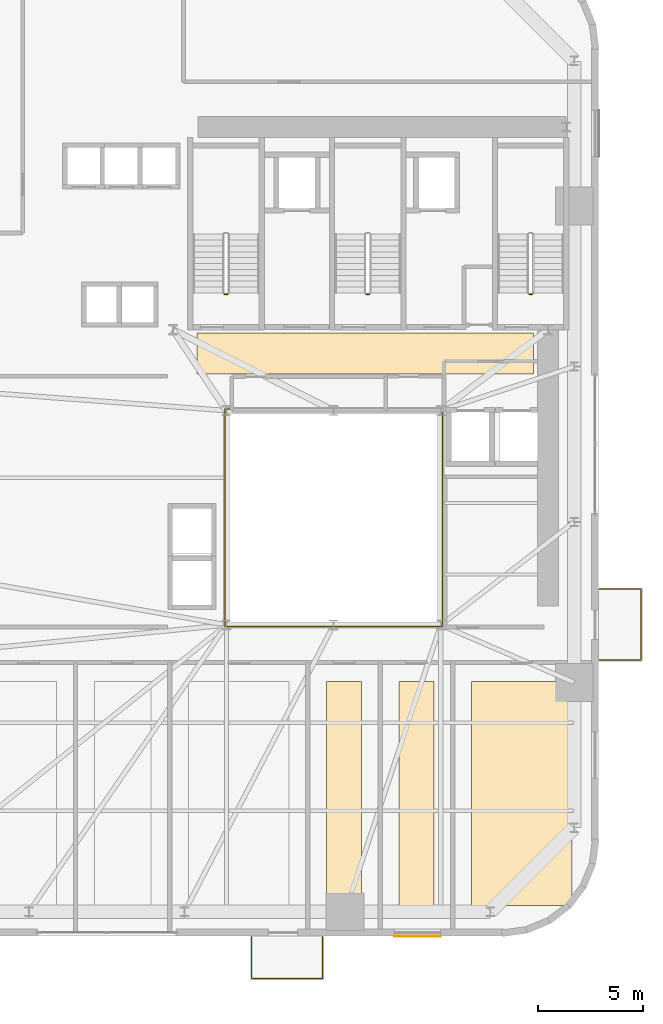
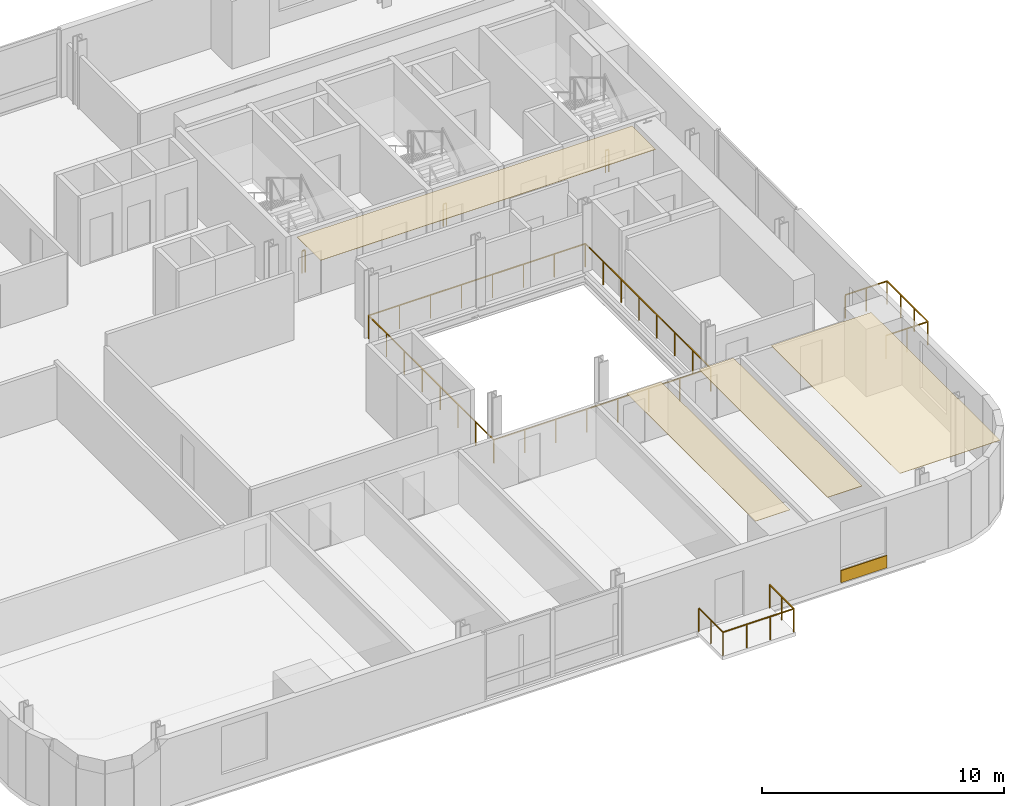
# One storey, part 11 of 13: 6 railings, 5 coverings.
"""IFC4 building model written with IfcOpenShell, lengths in metres."""

from ifc_helpers import new_model, si_unit, direction, frame, origin, origin_2d, place, context, subcontext, project, spatial, polyline, rectangle, outline, extrude, source, transform, mapped, material, layer, layer_set, type_object, element, save


model = new_model("IFC4")

# Units and contexts
model_context = context("Model", 3, precision=1e-05, world=origin(), true_north=direction((0.0, 1.0)))
body_context = subcontext(model_context, "Body", "Model", "MODEL_VIEW")
ifc_project = project(units=[si_unit("LENGTHUNIT", "METRE"), si_unit("AREAUNIT", "SQUARE_METRE"), si_unit("VOLUMEUNIT", "CUBIC_METRE"), si_unit("PLANEANGLEUNIT", "RADIAN"), si_unit("MASSUNIT", "GRAM", prefix="KILO")], contexts=[model_context])

# Site, building, storey
site_placement = place(None, origin())
site = spatial("IfcSite", under=ifc_project, at=site_placement, CompositionType="ELEMENT")
building_placement = place(site_placement, origin())
building = spatial("IfcBuilding", under=site, at=building_placement, Name="Vardaveli Station Tower", CompositionType="ELEMENT")
storey_placement = place(building_placement, frame((0.0, 0.0, 82.35009765625)))
storey = spatial("IfcBuildingStorey", under=building, at=storey_placement, Name="L21", CompositionType="ELEMENT", Elevation=82.35009765625)

# Coverings
ifc_material_1 = material(Name="Perforated acoustic mineral ceiling")
ifc_layer_1 = layer(ifc_material_1, 0.02001953125, Name="Perforated acoustic mineral ceiling")
ifc_layer_set_1 = layer_set([ifc_layer_1], Name="Perforated acoustic mineral ceiling")
covering_type_1 = type_object("IfcCoveringType", Name="COV-CEIL-AC20", PredefinedType="CEILING", material=ifc_layer_set_1)
covering_1_placement = place(storey_placement, frame((0.0, 0.0, 3.39501953125)))
element("IfcCovering", 1, at=covering_1_placement, inside=storey, type_object=covering_type_1, Name="CEIL-L21-5", PredefinedType="CEILING", context=body_context, shape_type="SweptSolid", body=[
    extrude(outline(polyline([(35.96435546875, 3.25), (37.6142578125, 3.25), (37.6142578125, 13.909912109375), (35.96435546875, 13.909912109375), (35.96435546875, 3.25)])), origin(), (0.0, 0.0, 1.0), 0.019775390625),
])
covering_2_placement = place(storey_placement, frame((0.0, 0.0, 3.39501953125)))
element("IfcCovering", 2, at=covering_2_placement, inside=storey, type_object=covering_type_1, Name="CEIL-L21-6", PredefinedType="CEILING", context=body_context, shape_type="SweptSolid", body=[
    extrude(outline(polyline([(39.414306640625, 3.25), (41.064208984375, 3.25), (41.064208984375, 13.909912109375), (39.414306640625, 13.909912109375), (39.414306640625, 3.25)])), origin(), (0.0, 0.0, 1.0), 0.019775390625),
])
covering_3_placement = place(storey_placement, frame((0.0, 0.0, 3.39501953125)))
element("IfcCovering", 3, at=covering_3_placement, inside=storey, type_object=covering_type_1, Name="CEIL-L21-7", PredefinedType="CEILING", context=body_context, shape_type="SweptSolid", body=[
    extrude(outline(polyline([(42.8642578125, 3.25), (47.64990234375, 3.25), (47.64990234375, 13.909912109375), (42.8642578125, 13.909912109375), (42.8642578125, 3.25)])), origin(), (0.0, 0.0, 1.0), 0.019775390625),
])
covering_4_placement = place(storey_placement, frame((0.0, 0.0, 3.39501953125)))
element("IfcCovering", 4, at=covering_4_placement, inside=storey, type_object=covering_type_1, Name="CEIL-L21-8", PredefinedType="CEILING", context=body_context, shape_type="SweptSolid", body=[
    extrude(outline(polyline([(29.800048828125, 28.550048828125), (45.800048828125, 28.550048828125), (45.800048828125, 30.5), (29.800048828125, 30.5), (29.800048828125, 28.550048828125)])), origin(), (0.0, 0.0, 1.0), 0.019775390625),
])
ifc_material_2 = material(Name="Ventilated honed travertine stone cladding", Category="masonry")
ifc_layer_2 = layer(ifc_material_2, 0.044921875, Name="Ventilated honed travertine stone cladding")
ifc_layer_set_2 = layer_set([ifc_layer_2], Name="Ventilated honed travertine stone cladding")
covering_type_2 = type_object("IfcCoveringType", Name="COV-CLAD-TR45", PredefinedType="CLADDING", material=ifc_layer_set_2)
shared_shape_1 = source(origin(), body_context, "Body", "SweptSolid", [
    extrude(rectangle(XDim=2.199951171875, YDim=0.044921875, at=origin_2d()), origin(), (0.0, 0.0, 1.0), 0.6201171875),
])
covering_5_placement = place(storey_placement, frame((40.294921875, 1.785400390625, 0.06982421875), z_axis=(0.0, 0.0, 1.0), x_axis=(1.0, 0.0, 0.0)))
element("IfcCovering", 5, at=covering_5_placement, inside=storey, type_object=covering_type_2, Name="CLD-TR-L21-S", PredefinedType="CLADDING", context=body_context, shape_type="MappedRepresentation", body=[
    mapped(shared_shape_1, transform((0.0, 0.0, 0.0), scale=1.0)),
])

# Railings
ifc_material_3 = material(Name="Laminated glass and stainless steel balustrade", Category="steel")
railing_type_1 = type_object("IfcRailingType", Name="RL-BAL-1200", PredefinedType="BALUSTRADE", material=ifc_material_3)
shared_shape_2 = source(origin(), body_context, "Body", "SweptSolid", [
    extrude(rectangle(XDim=0.048095703125, YDim=0.048095703125, at=origin_2d()), frame((0.0, 0.0, 1.17578125), z_axis=(0.0, -1.0, 0.0), x_axis=(1.0, 0.0, 0.0)), (0.0, 0.0, 1.0), 2.0),
    extrude(rectangle(XDim=0.048095703125, YDim=0.048095703125, at=origin_2d()), frame((0.0, -2.0, 1.17578125), z_axis=(1.0, 0.0, 0.0), x_axis=(0.0, 1.0, 0.0)), (0.0, 0.0, 1.0), 3.3798828125),
    extrude(rectangle(XDim=0.048095703125, YDim=0.048095703125, at=origin_2d()), frame((3.3798828125, -2.0, 1.17578125), z_axis=(0.0, 1.0, 0.0), x_axis=(-1.0, 0.0, 0.0)), (0.0, 0.0, 1.0), 2.0),
    extrude(rectangle(XDim=0.0419921875, YDim=0.0419921875, at=origin_2d()), origin(), (0.0, 0.0, 1.0), 1.15185546875),
    extrude(rectangle(XDim=0.0419921875, YDim=0.0419921875, at=origin_2d()), frame((0.0, -1.0, 0.0)), (0.0, 0.0, 1.0), 1.15185546875),
    extrude(rectangle(XDim=0.0419921875, YDim=0.0419921875, at=origin_2d()), frame((0.0, -2.0, 0.0)), (0.0, 0.0, 1.0), 1.15185546875),
    extrude(rectangle(XDim=0.0419921875, YDim=0.0419921875, at=origin_2d()), frame((1.126708984375, -2.0, 0.0)), (0.0, 0.0, 1.0), 1.15185546875),
    extrude(rectangle(XDim=0.0419921875, YDim=0.0419921875, at=origin_2d()), frame((2.253173828125, -2.0, 0.0)), (0.0, 0.0, 1.0), 1.15185546875),
    extrude(rectangle(XDim=0.0419921875, YDim=0.0419921875, at=origin_2d()), frame((3.3798828125, -2.0, 0.0)), (0.0, 0.0, 1.0), 1.15185546875),
    extrude(rectangle(XDim=0.0419921875, YDim=0.0419921875, at=origin_2d()), frame((3.3798828125, -1.0, 0.0)), (0.0, 0.0, 1.0), 1.15185546875),
    extrude(rectangle(XDim=0.0419921875, YDim=0.0419921875, at=origin_2d()), frame((3.3798828125, 0.0, 0.0)), (0.0, 0.0, 1.0), 1.15185546875),
])
railing_1_placement = place(storey_placement, frame((32.399658203125, 1.760009765625, 0.0)))
element("IfcRailing", 6, at=railing_1_placement, inside=storey, type_object=railing_type_1, Name="RL-LOG-L21-01", PredefinedType="BALUSTRADE", context=body_context, shape_type="MappedRepresentation", body=[
    mapped(shared_shape_2, transform((0.0, 0.0, 0.0), scale=1.0)),
])
shared_shape_3 = source(origin(), body_context, "Body", "SweptSolid", [
    extrude(rectangle(XDim=0.048095703125, YDim=0.048095703125, at=origin_2d()), frame((0.0, 0.0, 1.17578125), z_axis=(1.0, 0.0, 0.0), x_axis=(0.0, 1.0, 0.0)), (0.0, 0.0, 1.0), 2.0),
    extrude(rectangle(XDim=0.048095703125, YDim=0.048095703125, at=origin_2d()), frame((2.0, 0.0, 1.17578125), z_axis=(0.0, 1.0, 0.0), x_axis=(-1.0, 0.0, 0.0)), (0.0, 0.0, 1.0), 3.3798828125),
    extrude(rectangle(XDim=0.048095703125, YDim=0.048095703125, at=origin_2d()), frame((2.0, 3.3798828125, 1.17578125), z_axis=(-1.0, 0.0, 0.0), x_axis=(0.0, -1.0, 0.0)), (0.0, 0.0, 1.0), 2.0),
    extrude(rectangle(XDim=0.0419921875, YDim=0.0419921875, at=origin_2d()), origin(), (0.0, 0.0, 1.0), 1.15185546875),
    extrude(rectangle(XDim=0.0419921875, YDim=0.0419921875, at=origin_2d()), frame((1.0, 0.0, 0.0)), (0.0, 0.0, 1.0), 1.15185546875),
    extrude(rectangle(XDim=0.0419921875, YDim=0.0419921875, at=origin_2d()), frame((2.0, 0.0, 0.0)), (0.0, 0.0, 1.0), 1.15185546875),
    extrude(rectangle(XDim=0.0419921875, YDim=0.0419921875, at=origin_2d()), frame((2.0, 1.126708984375, 0.0)), (0.0, 0.0, 1.0), 1.15185546875),
    extrude(rectangle(XDim=0.0419921875, YDim=0.0419921875, at=origin_2d()), frame((2.0, 2.253173828125, 0.0)), (0.0, 0.0, 1.0), 1.15185546875),
    extrude(rectangle(XDim=0.0419921875, YDim=0.0419921875, at=origin_2d()), frame((2.0, 3.3798828125, 0.0)), (0.0, 0.0, 1.0), 1.15185546875),
    extrude(rectangle(XDim=0.0419921875, YDim=0.0419921875, at=origin_2d()), frame((1.0, 3.3798828125, 0.0)), (0.0, 0.0, 1.0), 1.15185546875),
    extrude(rectangle(XDim=0.0419921875, YDim=0.0419921875, at=origin_2d()), frame((0.0, 3.3798828125, 0.0)), (0.0, 0.0, 1.0), 1.15185546875),
])
railing_2_placement = place(storey_placement, frame((48.93994140625, 14.92041015625, 0.0)))
element("IfcRailing", 7, at=railing_2_placement, inside=storey, type_object=railing_type_1, Name="RL-LOG-L21-04", PredefinedType="BALUSTRADE", context=body_context, shape_type="MappedRepresentation", body=[
    mapped(shared_shape_3, transform((0.0, 0.0, 0.0), scale=1.0)),
])
ifc_material_4 = material(Name="Brushed AISI 316 stainless steel", Category="steel")
railing_type_2 = type_object("IfcRailingType", Name="RL-GUARD-1150", PredefinedType="GUARDRAIL", material=ifc_material_4)
shared_shape_4 = source(origin(), body_context, "Body", "SweptSolid", [
    extrude(rectangle(XDim=0.048095703125, YDim=0.048095703125, at=origin_2d()), frame((0.0, 0.0, 1.1259765625), z_axis=(-1.0, 0.0, 0.0), x_axis=(0.0, -1.0, 0.0)), (0.0, 0.0, 1.0), 0.14990234375),
    extrude(rectangle(XDim=0.0419921875, YDim=0.0419921875, at=origin_2d()), origin(), (0.0, 0.0, 1.0), 1.101806640625),
    extrude(rectangle(XDim=0.0419921875, YDim=0.0419921875, at=origin_2d()), frame((-0.14990234375, 0.0, 0.0)), (0.0, 0.0, 1.0), 1.101806640625),
])
for number, where, name in (
    (8, (31.25, 32.35009765625, 0.0), "L21 ST-1 stair guard 4"),
    (9, (38.0, 32.35009765625, 0.0), "L21 ST-2 stair guard 4"),
    (10, (45.75, 32.35009765625, 0.0), "L21 ST-3 stair guard 4"),
):
    element("IfcRailing", number, at=place(storey_placement, frame(where)), inside=storey, type_object=railing_type_2, Name=name, PredefinedType="GUARDRAIL", context=body_context, shape_type="MappedRepresentation", body=[
        mapped(shared_shape_4, transform((0.0, 0.0, 0.0), scale=1.0)),
    ])
shared_shape_5 = source(origin(), body_context, "Body", "SweptSolid", [
    extrude(rectangle(XDim=0.048095703125, YDim=0.048095703125, at=origin_2d()), frame((0.0, 0.0, 1.17578125), z_axis=(1.0, 0.0, 0.0), x_axis=(0.0, 1.0, 0.0)), (0.0, 0.0, 1.0), 10.35986328125),
    extrude(rectangle(XDim=0.048095703125, YDim=0.048095703125, at=origin_2d()), frame((10.35986328125, 0.0, 1.17578125), z_axis=(0.0, 1.0, 0.0), x_axis=(-1.0, 0.0, 0.0)), (0.0, 0.0, 1.0), 10.35986328125),
    extrude(rectangle(XDim=0.048095703125, YDim=0.048095703125, at=origin_2d()), frame((10.35986328125, 10.35986328125, 1.17578125), z_axis=(-1.0, 0.0, 0.0), x_axis=(0.0, -1.0, 0.0)), (0.0, 0.0, 1.0), 10.35986328125),
    extrude(rectangle(XDim=0.048095703125, YDim=0.048095703125, at=origin_2d()), frame((0.0, 10.35986328125, 1.17578125), z_axis=(0.0, -1.0, 0.0), x_axis=(1.0, 0.0, 0.0)), (0.0, 0.0, 1.0), 10.35986328125),
    extrude(rectangle(XDim=0.0419921875, YDim=0.0419921875, at=origin_2d()), origin(), (0.0, 0.0, 1.0), 1.15185546875),
    extrude(rectangle(XDim=0.0419921875, YDim=0.0419921875, at=origin_2d()), frame((1.47998046875, 0.0, 0.0)), (0.0, 0.0, 1.0), 1.15185546875),
    extrude(rectangle(XDim=0.0419921875, YDim=0.0419921875, at=origin_2d()), frame((2.9599609375, 0.0, 0.0)), (0.0, 0.0, 1.0), 1.15185546875),
    extrude(rectangle(XDim=0.0419921875, YDim=0.0419921875, at=origin_2d()), frame((4.43994140625, 0.0, 0.0)), (0.0, 0.0, 1.0), 1.15185546875),
    extrude(rectangle(XDim=0.0419921875, YDim=0.0419921875, at=origin_2d()), frame((5.919921875, 0.0, 0.0)), (0.0, 0.0, 1.0), 1.15185546875),
    extrude(rectangle(XDim=0.0419921875, YDim=0.0419921875, at=origin_2d()), frame((7.39990234375, 0.0, 0.0)), (0.0, 0.0, 1.0), 1.15185546875),
    extrude(rectangle(XDim=0.0419921875, YDim=0.0419921875, at=origin_2d()), frame((8.8798828125, 0.0, 0.0)), (0.0, 0.0, 1.0), 1.15185546875),
    extrude(rectangle(XDim=0.0419921875, YDim=0.0419921875, at=origin_2d()), frame((10.35986328125, 0.0, 0.0)), (0.0, 0.0, 1.0), 1.15185546875),
    extrude(rectangle(XDim=0.0419921875, YDim=0.0419921875, at=origin_2d()), frame((10.35986328125, 1.47998046875, 0.0)), (0.0, 0.0, 1.0), 1.15185546875),
    extrude(rectangle(XDim=0.0419921875, YDim=0.0419921875, at=origin_2d()), frame((10.35986328125, 2.9599609375, 0.0)), (0.0, 0.0, 1.0), 1.15185546875),
    extrude(rectangle(XDim=0.0419921875, YDim=0.0419921875, at=origin_2d()), frame((10.35986328125, 4.43994140625, 0.0)), (0.0, 0.0, 1.0), 1.15185546875),
    extrude(rectangle(XDim=0.0419921875, YDim=0.0419921875, at=origin_2d()), frame((10.35986328125, 5.919921875, 0.0)), (0.0, 0.0, 1.0), 1.15185546875),
    extrude(rectangle(XDim=0.0419921875, YDim=0.0419921875, at=origin_2d()), frame((10.35986328125, 7.39990234375, 0.0)), (0.0, 0.0, 1.0), 1.15185546875),
    extrude(rectangle(XDim=0.0419921875, YDim=0.0419921875, at=origin_2d()), frame((10.35986328125, 8.8798828125, 0.0)), (0.0, 0.0, 1.0), 1.15185546875),
    extrude(rectangle(XDim=0.0419921875, YDim=0.0419921875, at=origin_2d()), frame((10.35986328125, 10.35986328125, 0.0)), (0.0, 0.0, 1.0), 1.15185546875),
    extrude(rectangle(XDim=0.0419921875, YDim=0.0419921875, at=origin_2d()), frame((8.8798828125, 10.35986328125, 0.0)), (0.0, 0.0, 1.0), 1.15185546875),
    extrude(rectangle(XDim=0.0419921875, YDim=0.0419921875, at=origin_2d()), frame((7.39990234375, 10.35986328125, 0.0)), (0.0, 0.0, 1.0), 1.15185546875),
    extrude(rectangle(XDim=0.0419921875, YDim=0.0419921875, at=origin_2d()), frame((5.919921875, 10.35986328125, 0.0)), (0.0, 0.0, 1.0), 1.15185546875),
    extrude(rectangle(XDim=0.0419921875, YDim=0.0419921875, at=origin_2d()), frame((4.43994140625, 10.35986328125, 0.0)), (0.0, 0.0, 1.0), 1.15185546875),
    extrude(rectangle(XDim=0.0419921875, YDim=0.0419921875, at=origin_2d()), frame((2.9599609375, 10.35986328125, 0.0)), (0.0, 0.0, 1.0), 1.15185546875),
    extrude(rectangle(XDim=0.0419921875, YDim=0.0419921875, at=origin_2d()), frame((1.47998046875, 10.35986328125, 0.0)), (0.0, 0.0, 1.0), 1.15185546875),
    extrude(rectangle(XDim=0.0419921875, YDim=0.0419921875, at=origin_2d()), frame((0.0, 10.35986328125, 0.0)), (0.0, 0.0, 1.0), 1.15185546875),
    extrude(rectangle(XDim=0.0419921875, YDim=0.0419921875, at=origin_2d()), frame((0.0, 8.8798828125, 0.0)), (0.0, 0.0, 1.0), 1.15185546875),
    extrude(rectangle(XDim=0.0419921875, YDim=0.0419921875, at=origin_2d()), frame((0.0, 7.39990234375, 0.0)), (0.0, 0.0, 1.0), 1.15185546875),
    extrude(rectangle(XDim=0.0419921875, YDim=0.0419921875, at=origin_2d()), frame((0.0, 5.919921875, 0.0)), (0.0, 0.0, 1.0), 1.15185546875),
    extrude(rectangle(XDim=0.0419921875, YDim=0.0419921875, at=origin_2d()), frame((0.0, 4.43994140625, 0.0)), (0.0, 0.0, 1.0), 1.15185546875),
    extrude(rectangle(XDim=0.0419921875, YDim=0.0419921875, at=origin_2d()), frame((0.0, 2.9599609375, 0.0)), (0.0, 0.0, 1.0), 1.15185546875),
    extrude(rectangle(XDim=0.0419921875, YDim=0.0419921875, at=origin_2d()), frame((0.0, 1.47998046875, 0.0)), (0.0, 0.0, 1.0), 1.15185546875),
])
railing_3_placement = place(storey_placement, frame((31.1201171875, 16.52001953125, 0.0)))
element("IfcRailing", 11, at=railing_3_placement, inside=storey, type_object=railing_type_1, Name="RL-ATR-L21", PredefinedType="BALUSTRADE", context=body_context, shape_type="MappedRepresentation", body=[
    mapped(shared_shape_5, transform((0.0, 0.0, 0.0), scale=1.0)),
])

save(model, "model.ifc")
